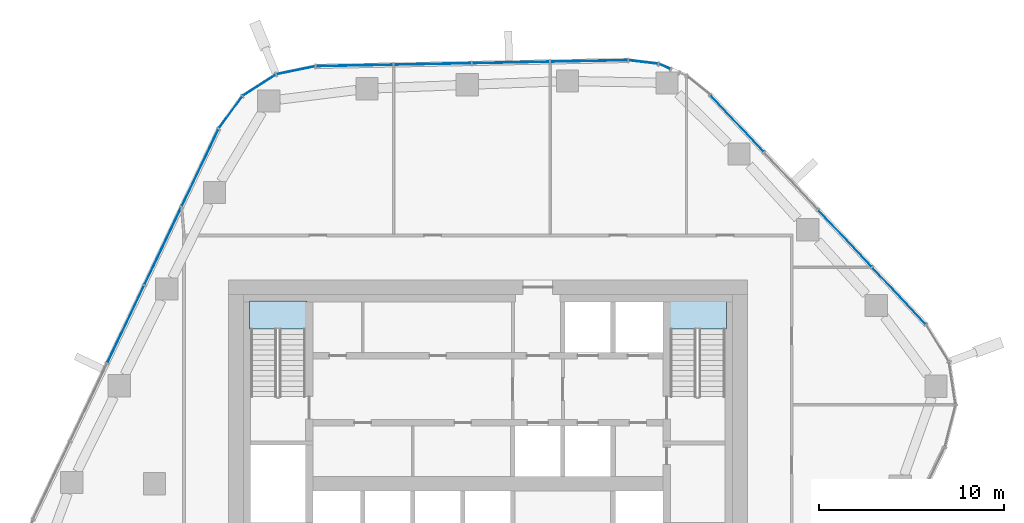
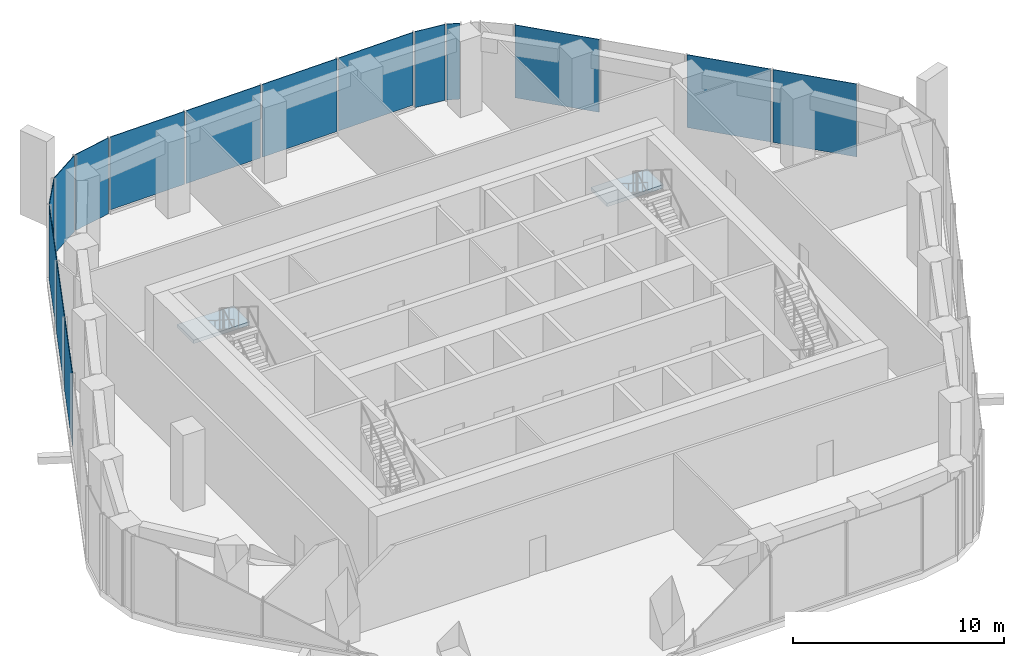
# One storey, part 9 of 16: 15 plates, 2 slabs, 7 elements without a shape of their own.
"""IFC4 building model written with IfcOpenShell, lengths in metres."""

from ifc_helpers import new_model, si_unit, direction, frame, origin, origin_2d, place, context, subcontext, project, spatial, polyline, rectangle, outline, extrude, material, layer, layer_set, type_object, element, aggregate, save


model = new_model("IFC4")

# Units and contexts
model_context = context("Model", 3, precision=1e-05, world=origin(), true_north=direction((0.0, 1.0)))
body_context = subcontext(model_context, "Body", "Model", "MODEL_VIEW")
ifc_project = project(units=[si_unit("LENGTHUNIT", "METRE"), si_unit("AREAUNIT", "SQUARE_METRE"), si_unit("VOLUMEUNIT", "CUBIC_METRE"), si_unit("PLANEANGLEUNIT", "RADIAN"), si_unit("MASSUNIT", "GRAM", prefix="KILO")], contexts=[model_context])

# Site, building, storey
site_placement = place(None, origin())
site = spatial("IfcSite", under=ifc_project, at=site_placement, CompositionType="ELEMENT")
building_placement = place(site_placement, origin())
building = spatial("IfcBuilding", under=site, at=building_placement, Name="Dongbaek Canopy Tower", CompositionType="ELEMENT")
storey_placement = place(building_placement, frame((0.0, 0.0, 215.60009765625)))
storey = spatial("IfcBuildingStorey", under=building, at=storey_placement, Name="L45", CompositionType="ELEMENT", Elevation=215.60009765625)

# Curtain wall, plates
ifc_material_1 = material(Name="Aluminium 6063-T6 pale anodised", Category="aluminium")
ifc_layer_1 = layer(ifc_material_1, 0.25)
ifc_layer_set_1 = layer_set([ifc_layer_1], Name="CW-4 sky-lobby curtain wall")
curtain_wall_type = type_object("IfcCurtainWallType", Name="CW-4 sky-lobby curtain wall", PredefinedType="NOTDEFINED", material=ifc_layer_set_1)
curtain_wall_1_placement = place(storey_placement, origin())
curtain_wall_1 = element("IfcCurtainWall", 1, at=curtain_wall_1_placement, inside=storey, type_object=curtain_wall_type, Name="CW-4 curtain wall F0.1", PredefinedType="NOTDEFINED")
ifc_material_2 = material(Name="Clear laminated glass", Category="glass")
ifc_layer_2 = layer(ifc_material_2, 0.035888671875)
ifc_layer_set_2 = layer_set([ifc_layer_2], Name="CW-4 glazed panel 36")
plate_type = type_object("IfcPlateType", Name="CW-4 glazed panel 36", PredefinedType="CURTAIN_PANEL", material=ifc_layer_set_2)
plate_1_placement = place(storey_placement, frame((22.19287109375, 10.137939453125, 0.1796875), z_axis=(0.0, 0.0, 1.0), x_axis=(-0.68457677526, 0.728940764929, 0.0)))
plate_1 = element("IfcPlate", 2, at=plate_1_placement, type_object=plate_type, Name="CW-4 panel F0.1.1.1", PredefinedType="CURTAIN_PANEL", context=body_context, shape_type="SweptSolid", body=[
    extrude(rectangle(XDim=4.1533203125, YDim=0.035888671875, at=origin_2d()), origin(), (0.0, 0.0, 1.0), 4.219970703125),
])
plate_2_placement = place(storey_placement, frame((19.28173828125, 13.23779296875, 0.1796875), z_axis=(0.0, 0.0, 1.0), x_axis=(-0.68457677526, 0.728940764929, 0.0)))
plate_2 = element("IfcPlate", 3, at=plate_2_placement, type_object=plate_type, Name="CW-4 panel F0.1.2.1", PredefinedType="CURTAIN_PANEL", context=body_context, shape_type="SweptSolid", body=[
    extrude(rectangle(XDim=4.16357421875, YDim=0.035888671875, at=origin_2d()), origin(), (0.0, 0.0, 1.0), 4.219970703125),
])
plate_3_placement = place(storey_placement, frame((13.455078125, 19.442138671875, 0.1796875), z_axis=(0.0, 0.0, 1.0), x_axis=(-0.68457677526, 0.728940764929, 0.0)))
plate_3 = element("IfcPlate", 4, at=plate_3_placement, type_object=plate_type, Name="CW-4 panel F0.1.4.1", PredefinedType="CURTAIN_PANEL", context=body_context, shape_type="SweptSolid", body=[
    extrude(rectangle(XDim=4.156494140625, YDim=0.035888671875, at=origin_2d()), origin(), (0.0, 0.0, 1.0), 4.219970703125),
])
aggregate(curtain_wall_1, [plate_1, plate_2, plate_3])

curtain_wall_2_placement = place(storey_placement, origin())
curtain_wall_2 = element("IfcCurtainWall", 5, at=curtain_wall_2_placement, inside=storey, type_object=curtain_wall_type, Name="CW-4 curtain wall K1.1b", PredefinedType="NOTDEFINED")
plate_4_placement = place(storey_placement, frame((9.54150390625, 22.5185546875, 0.0), z_axis=(0.0, 0.0, 1.0), x_axis=(-0.92154660658, 0.388267757999, 0.0)))
plate_4 = element("IfcPlate", 6, at=plate_4_placement, type_object=plate_type, Name="CW-4 panel K1.1b.1.1", PredefinedType="CURTAIN_PANEL", context=body_context, shape_type="SweptSolid", body=[
    extrude(rectangle(XDim=0.63037109375, YDim=0.035888671875, at=origin_2d()), origin(), (0.0, 0.0, 1.0), 4.39990234375),
])
plate_5_placement = place(storey_placement, frame((8.390869140625, 22.757568359375, 0.0), z_axis=(0.0, 0.0, 1.0), x_axis=(-0.992800297605, 0.119781338591, 0.0)))
plate_5 = element("IfcPlate", 7, at=plate_5_placement, type_object=plate_type, Name="CW-4 panel K1.1b.2.1", PredefinedType="CURTAIN_PANEL", context=body_context, shape_type="SweptSolid", body=[
    extrude(rectangle(XDim=1.5517578125, YDim=0.035888671875, at=origin_2d()), origin(), (0.0, 0.0, 1.0), 4.39990234375),
])
aggregate(curtain_wall_2, [plate_4, plate_5])

curtain_wall_3_placement = place(storey_placement, origin())
curtain_wall_3 = element("IfcCurtainWall", 8, at=curtain_wall_3_placement, inside=storey, type_object=curtain_wall_type, Name="CW-4 curtain wall F1.1", PredefinedType="NOTDEFINED")
plate_6_placement = place(storey_placement, frame((5.465576171875, 22.8154296875, 0.1796875), z_axis=(0.0, 0.0, 1.0), x_axis=(-0.999814317734, -0.019269926161, 0.0)))
plate_6 = element("IfcPlate", 9, at=plate_6_placement, type_object=plate_type, Name="CW-4 panel F1.1.1.1", PredefinedType="CURTAIN_PANEL", context=body_context, shape_type="SweptSolid", body=[
    extrude(rectangle(XDim=4.123291015625, YDim=0.035888671875, at=origin_2d()), origin(), (0.0, 0.0, 1.0), 4.219970703125),
])
plate_7_placement = place(storey_placement, frame((1.245849609375, 22.734130859375, 0.1796875), z_axis=(0.0, 0.0, 1.0), x_axis=(-0.999814317734, -0.019269926161, 0.0)))
plate_7 = element("IfcPlate", 10, at=plate_7_placement, type_object=plate_type, Name="CW-4 panel F1.1.2.1", PredefinedType="CURTAIN_PANEL", context=body_context, shape_type="SweptSolid", body=[
    extrude(rectangle(XDim=4.130126953125, YDim=0.035888671875, at=origin_2d()), origin(), (0.0, 0.0, 1.0), 4.219970703125),
])
plate_8_placement = place(storey_placement, frame((-2.9775390625, 22.65283203125, 0.1796875), z_axis=(0.0, 0.0, 1.0), x_axis=(-0.999814317734, -0.019269926161, 0.0)))
plate_8 = element("IfcPlate", 11, at=plate_8_placement, type_object=plate_type, Name="CW-4 panel F1.1.3.1", PredefinedType="CURTAIN_PANEL", context=body_context, shape_type="SweptSolid", body=[
    extrude(rectangle(XDim=4.130126953125, YDim=0.035888671875, at=origin_2d()), origin(), (0.0, 0.0, 1.0), 4.219970703125),
])
plate_9_placement = place(storey_placement, frame((-7.1962890625, 22.571533203125, 0.1796875), z_axis=(0.0, 0.0, 1.0), x_axis=(-0.999814317734, -0.019269926161, 0.0)))
plate_9 = element("IfcPlate", 12, at=plate_9_placement, type_object=plate_type, Name="CW-4 panel F1.1.4.1", PredefinedType="CURTAIN_PANEL", context=body_context, shape_type="SweptSolid", body=[
    extrude(rectangle(XDim=4.120849609375, YDim=0.035888671875, at=origin_2d()), origin(), (0.0, 0.0, 1.0), 4.219970703125),
])
aggregate(curtain_wall_3, [plate_6, plate_7, plate_8, plate_9])

curtain_wall_4_placement = place(storey_placement, origin())
curtain_wall_4 = element("IfcCurtainWall", 13, at=curtain_wall_4_placement, inside=storey, type_object=curtain_wall_type, Name="CW-4 curtain wall K2.1", PredefinedType="NOTDEFINED")
plate_10_placement = place(storey_placement, frame((-10.368408203125, 22.310791015625, 0.0), z_axis=(0.0, 0.0, 1.0), x_axis=(-0.979285942903, -0.202482201767, 0.0)))
plate_10 = element("IfcPlate", 14, at=plate_10_placement, type_object=plate_type, Name="CW-4 panel K2.1.1.1", PredefinedType="CURTAIN_PANEL", context=body_context, shape_type="SweptSolid", body=[
    extrude(rectangle(XDim=2.0810546875, YDim=0.035888671875, at=origin_2d()), origin(), (0.0, 0.0, 1.0), 4.39990234375),
])
plate_11_placement = place(storey_placement, frame((-12.343017578125, 21.50341796875, 0.0), z_axis=(0.0, 0.0, 1.0), x_axis=(-0.84020582173, -0.542267625008, 0.0)))
plate_11 = element("IfcPlate", 15, at=plate_11_placement, type_object=plate_type, Name="CW-4 panel K2.1.2.1", PredefinedType="CURTAIN_PANEL", context=body_context, shape_type="SweptSolid", body=[
    extrude(rectangle(XDim=2.071533203125, YDim=0.035888671875, at=origin_2d()), origin(), (0.0, 0.0, 1.0), 4.39990234375),
])
plate_12_placement = place(storey_placement, frame((-13.89208984375, 20.036376953125, 0.0), z_axis=(0.0, 0.0, 1.0), x_axis=(-0.587868128613, -0.808956774717, 0.0)))
plate_12 = element("IfcPlate", 16, at=plate_12_placement, type_object=plate_type, Name="CW-4 panel K2.1.3.1", PredefinedType="CURTAIN_PANEL", context=body_context, shape_type="SweptSolid", body=[
    extrude(rectangle(XDim=2.0810546875, YDim=0.035888671875, at=origin_2d()), origin(), (0.0, 0.0, 1.0), 4.39990234375),
])
aggregate(curtain_wall_4, [plate_10, plate_11, plate_12])

curtain_wall_5_placement = place(storey_placement, origin())
curtain_wall_5 = element("IfcCurtainWall", 17, at=curtain_wall_5_placement, inside=storey, type_object=curtain_wall_type, Name="CW-4 curtain wall F2.1", PredefinedType="NOTDEFINED")
plate_13_placement = place(storey_placement, frame((-15.532958984375, 17.050048828125, 0.1796875), z_axis=(0.0, 0.0, 1.0), x_axis=(-0.429374554146, -0.90312650955, 0.0)))
plate_13 = element("IfcPlate", 18, at=plate_13_placement, type_object=plate_type, Name="CW-4 panel F2.1.1.1", PredefinedType="CURTAIN_PANEL", context=body_context, shape_type="SweptSolid", body=[
    extrude(rectangle(XDim=4.5712890625, YDim=0.035888671875, at=origin_2d()), origin(), (0.0, 0.0, 1.0), 4.219970703125),
])
plate_14_placement = place(storey_placement, frame((-17.5380859375, 12.83251953125, 0.1796875), z_axis=(0.0, 0.0, 1.0), x_axis=(-0.429374554146, -0.90312650955, 0.0)))
plate_14 = element("IfcPlate", 19, at=plate_14_placement, type_object=plate_type, Name="CW-4 panel F2.1.2.1", PredefinedType="CURTAIN_PANEL", context=body_context, shape_type="SweptSolid", body=[
    extrude(rectangle(XDim=4.58056640625, YDim=0.035888671875, at=origin_2d()), origin(), (0.0, 0.0, 1.0), 4.219970703125),
])
plate_15_placement = place(storey_placement, frame((-19.54541015625, 8.61083984375, 0.1796875), z_axis=(0.0, 0.0, 1.0), x_axis=(-0.429374554146, -0.90312650955, 0.0)))
plate_15 = element("IfcPlate", 20, at=plate_15_placement, type_object=plate_type, Name="CW-4 panel F2.1.3.1", PredefinedType="CURTAIN_PANEL", context=body_context, shape_type="SweptSolid", body=[
    extrude(rectangle(XDim=4.58056640625, YDim=0.035888671875, at=origin_2d()), origin(), (0.0, 0.0, 1.0), 4.219970703125),
])
aggregate(curtain_wall_5, [plate_13, plate_14, plate_15])

# Stair, slab
ifc_material_3 = material(Name="Concrete C40/50", Category="concrete")
stair_type = type_object("IfcStairType", Name="Core exit stair", PredefinedType="HALF_TURN_STAIR", material=ifc_material_3)
stair_1_placement = place(storey_placement, origin())
stair_1 = element("IfcStair", 21, at=stair_1_placement, inside=storey, type_object=stair_type, Name="L45 exit stair A", PredefinedType="HALF_TURN_STAIR")
ifc_material_4 = material(Name="Concrete C40/50", Category="concrete")
ifc_layer_3 = layer(ifc_material_4, 0.199951171875)
ifc_layer_set_3 = layer_set([ifc_layer_3], Name="Core stair landing 200")
slab_type = type_object("IfcSlabType", Name="Core stair landing 200", PredefinedType="LANDING", material=ifc_layer_set_3)
slab_1_placement = place(storey_placement, frame((0.0, 0.0, 2.2998046875)))
slab_1 = element("IfcSlab", 22, at=slab_1_placement, type_object=slab_type, Name="ST-A landing 1", PredefinedType="LANDING", context=body_context, shape_type="SweptSolid", body=[
    extrude(outline(polyline([(12.875, 8.340087890625), (12.875, 9.875), (9.77490234375, 9.875), (9.77490234375, 8.340087890625), (12.875, 8.340087890625)])), origin(), (0.0, 0.0, 1.0), 0.2001953125),
])
aggregate(stair_1, [slab_1])

stair_2_placement = place(storey_placement, origin())
stair_2 = element("IfcStair", 23, at=stair_2_placement, inside=storey, type_object=stair_type, Name="L45 exit stair C", PredefinedType="HALF_TURN_STAIR")
slab_2_placement = place(storey_placement, frame((0.0, 0.0, 2.2998046875)))
slab_2 = element("IfcSlab", 24, at=slab_2_placement, type_object=slab_type, Name="ST-C landing 1", PredefinedType="LANDING", context=body_context, shape_type="SweptSolid", body=[
    extrude(outline(polyline([(-9.77490234375, 8.340087890625), (-9.77490234375, 9.875), (-12.875, 9.875), (-12.875, 8.340087890625), (-9.77490234375, 8.340087890625)])), origin(), (0.0, 0.0, 1.0), 0.2001953125),
])
aggregate(stair_2, [slab_2])

save(model, "model.ifc")
